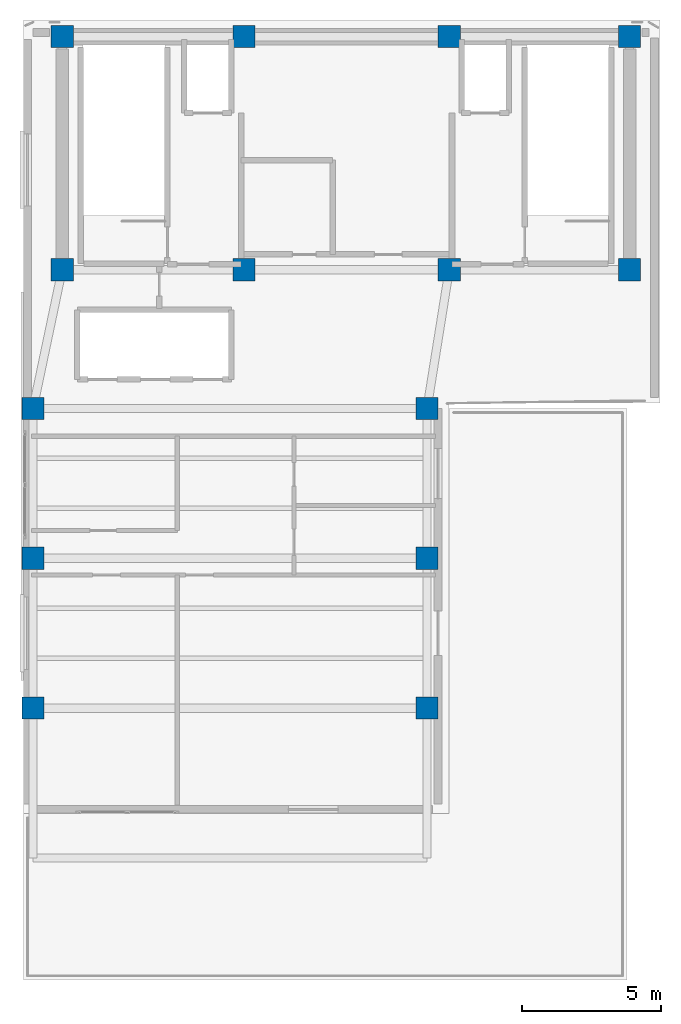
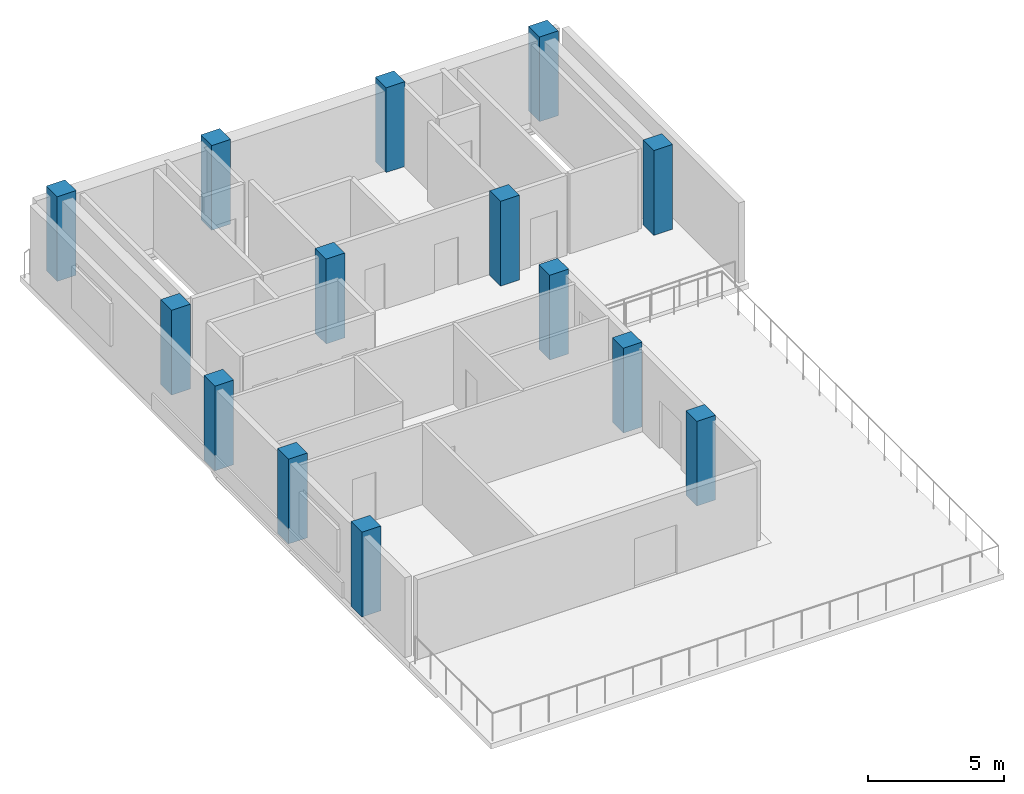
# One storey, part 1 of 7: 14 columns.
"""IFC4 building model written with IfcOpenShell, lengths in metres."""

from ifc_helpers import new_model, si_unit, direction, frame, origin, origin_2d, place, context, subcontext, project, spatial, rectangle, extrude, material, material_profile, profile_set, type_object, element, save


model = new_model("IFC4")

# Units and contexts
model_context = context("Model", 3, precision=1e-05, world=origin(), true_north=direction((0.0, 1.0)))
body_context = subcontext(model_context, "Body", "Model", "MODEL_VIEW")
ifc_project = project(units=[si_unit("LENGTHUNIT", "METRE"), si_unit("AREAUNIT", "SQUARE_METRE"), si_unit("VOLUMEUNIT", "CUBIC_METRE"), si_unit("PLANEANGLEUNIT", "RADIAN"), si_unit("MASSUNIT", "GRAM", prefix="KILO")], contexts=[model_context])

# Site, building, storey
site_placement = place(None, origin())
site = spatial("IfcSite", under=ifc_project, at=site_placement, CompositionType="ELEMENT")
building_placement = place(site_placement, origin())
building = spatial("IfcBuilding", under=site, at=building_placement, Name="Kuzgunbayir Cultural Tower", CompositionType="ELEMENT")
storey_placement = place(building_placement, frame((0.0, 0.0, 250.39990234375)))
storey = spatial("IfcBuildingStorey", under=building, at=storey_placement, Name="L74", CompositionType="ELEMENT", Elevation=250.39990234375)

# Columns
ifc_material = material(Name="Concrete C50/60", Category="concrete")
ifc_material_profile_1 = material_profile(ifc_material, rectangle(XDim=0.800048828125, YDim=0.800048828125, at=origin_2d()), Name="RC 800x800")
ifc_profile_set_1 = profile_set([ifc_material_profile_1], Name="Concrete C50/60")
column_type_1 = type_object("IfcColumnType", Name="COL-CORE-800", PredefinedType="COLUMN", material=ifc_profile_set_1)
for number, where, z_axis, x_axis, name in (
    (1, (6.449951171875, 33.800048828125, 0.0), (0.0, 0.0, 1.0), (1.0, 0.0, 0.0), "L74 T1 Core Boundary Column CC1-1"),
    (2, (13.0, 33.800048828125, 0.0), (0.0, 0.0, 1.0), (1.0, 0.0, 0.0), "L74 T1 Core Boundary Column CC1-2"),
    (3, (20.39990234375, 33.800048828125, 0.0), (0.0, 0.0, 1.0), (1.0, 0.0, 0.0), "L74 T1 Core Boundary Column CC1-3"),
    (4, (26.89990234375, 33.800048828125, 0.0), (0.0, 0.0, 1.0), (1.0, 0.0, 0.0), "L74 T1 Core Boundary Column CC1-4"),
    (5, (6.449951171875, 42.199951171875, 0.0), (0.0, 0.0, 1.0), (1.0, 0.0, 0.0), "L74 T1 Core Boundary Column CC1-5"),
    (6, (13.0, 42.199951171875, 0.0), (0.0, 0.0, 1.0), (1.0, 0.0, 0.0), "L74 T1 Core Boundary Column CC1-6"),
    (7, (20.39990234375, 42.199951171875, 0.0), (0.0, 0.0, 1.0), (1.0, 0.0, 0.0), "L74 T1 Core Boundary Column CC1-7"),
    (8, (26.89990234375, 42.199951171875, 0.0), (0.0, 0.0, 1.0), (1.0, 0.0, 0.0), "L74 T1 Core Boundary Column CC1-8"),
):
    element("IfcColumn", number, at=place(storey_placement, frame(where, z_axis=z_axis, x_axis=x_axis)), inside=storey, type_object=column_type_1, Name=name, PredefinedType="COLUMN", context=body_context, shape_type="SweptSolid", body=[
        extrude(rectangle(XDim=0.800048828125, YDim=0.800048828125, at=origin_2d()), origin(), (0.0, 0.0, 1.0), 3.800048828125),
    ])
ifc_material_profile_2 = material_profile(ifc_material, rectangle(XDim=0.800048828125, YDim=0.800048828125, at=origin_2d()), Name="RC 800x800")
ifc_profile_set_2 = profile_set([ifc_material_profile_2], Name="Concrete C50/60")
column_type_2 = type_object("IfcColumnType", Name="COL-T1-800", PredefinedType="COLUMN", material=ifc_profile_set_2)
for number, where, z_axis, x_axis, name in (
    (9, (5.39990234375, 18.0, 0.0), (0.0, 0.0, 1.0), (1.0, 0.0, 0.0), "L74 Tower 1 Wing A Column T1A-W-2"),
    (10, (19.60009765625, 18.0, 0.0), (0.0, 0.0, 1.0), (1.0, 0.0, 0.0), "L74 Tower 1 Wing A Column T1A-E-2"),
    (11, (5.39990234375, 23.39990234375, 0.0), (0.0, 0.0, 1.0), (1.0, 0.0, 0.0), "L74 Tower 1 Wing A Column T1A-W-3"),
    (12, (19.60009765625, 23.39990234375, 0.0), (0.0, 0.0, 1.0), (1.0, 0.0, 0.0), "L74 Tower 1 Wing A Column T1A-E-3"),
    (13, (5.39990234375, 28.800048828125, 0.0), (0.0, 0.0, 1.0), (1.0, 0.0, 0.0), "L74 Tower 1 Wing A Column T1A-W-4"),
    (14, (19.60009765625, 28.800048828125, 0.0), (0.0, 0.0, 1.0), (1.0, 0.0, 0.0), "L74 Tower 1 Wing A Column T1A-E-4"),
):
    element("IfcColumn", number, at=place(storey_placement, frame(where, z_axis=z_axis, x_axis=x_axis)), inside=storey, type_object=column_type_2, Name=name, PredefinedType="COLUMN", context=body_context, shape_type="SweptSolid", body=[
        extrude(rectangle(XDim=0.800048828125, YDim=0.800048828125, at=origin_2d()), origin(), (0.0, 0.0, 1.0), 3.800048828125),
    ])

save(model, "model.ifc")
